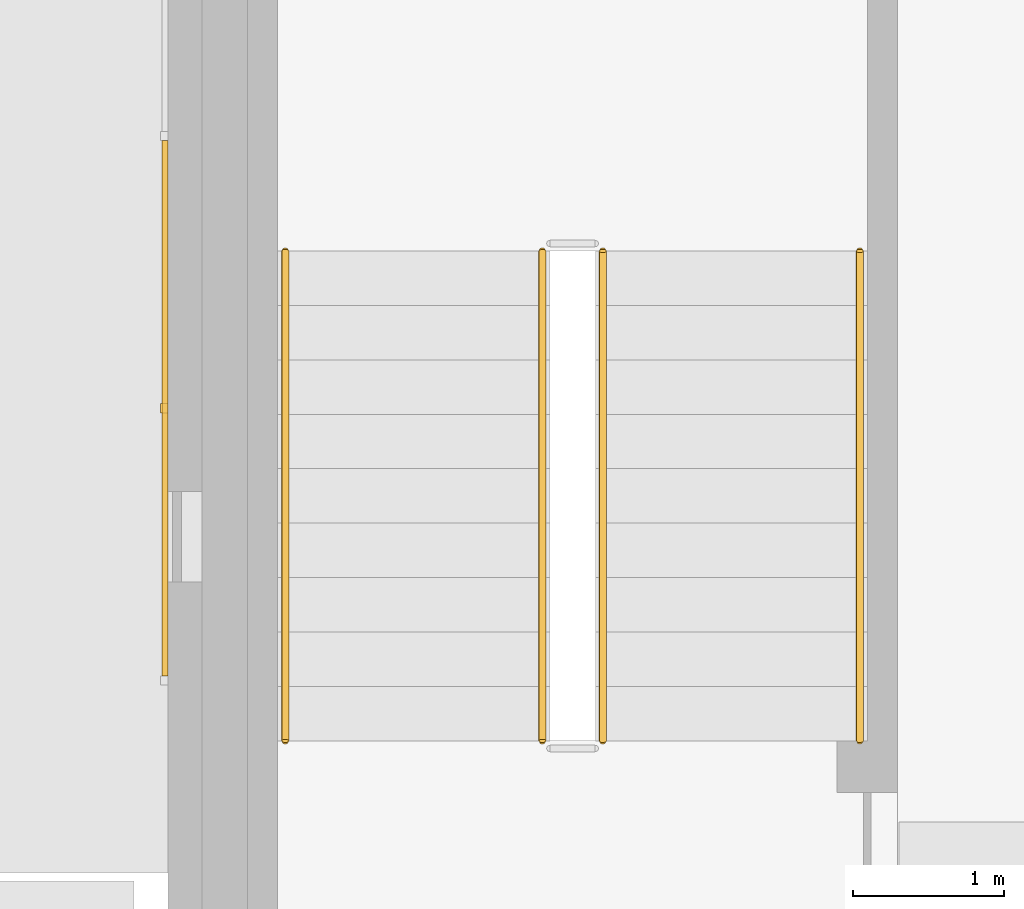
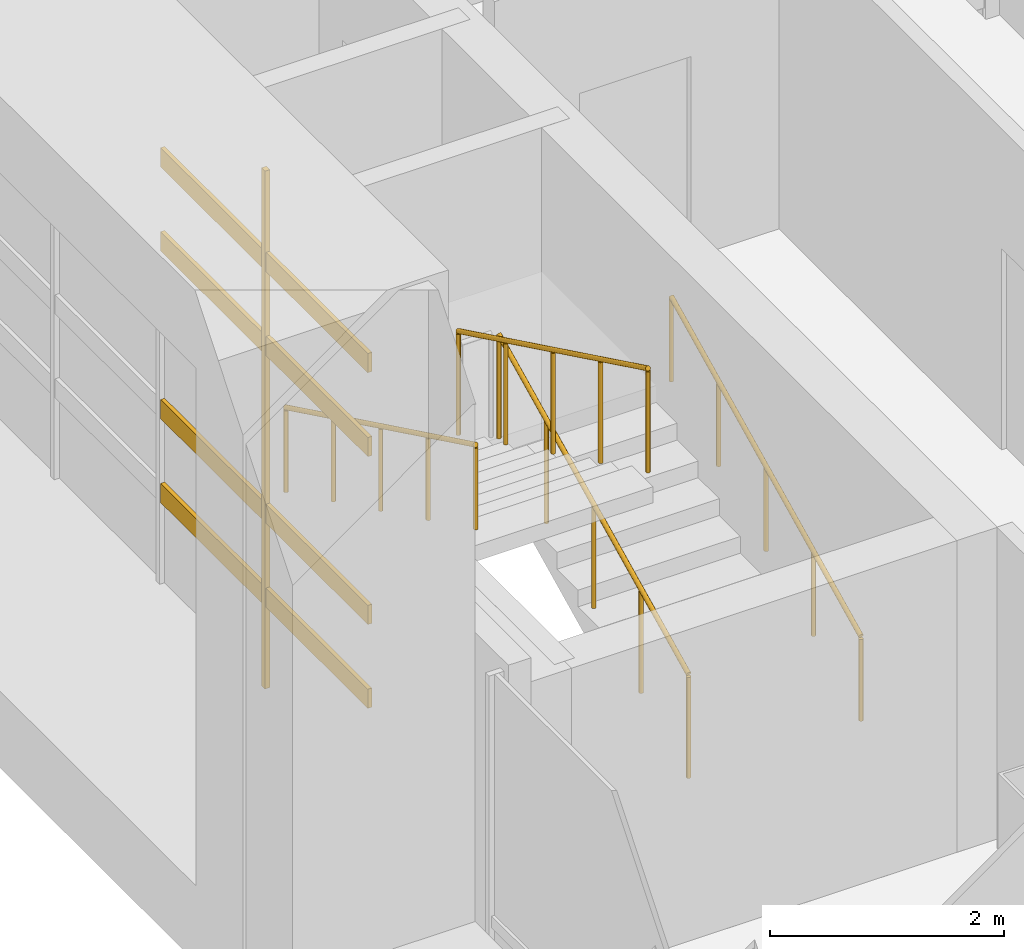
# One storey, part 14 of 21: 5 coverings, 4 railings.
"""IFC4 building model written with IfcOpenShell, lengths in metres."""

from ifc_helpers import new_model, si_unit, direction, frame, origin, origin_2d, place, context, subcontext, project, spatial, rectangle, circle, extrude, material, type_object, element, save


model = new_model("IFC4")

# Units and contexts
model_context = context("Model", 3, precision=1e-05, world=origin(), true_north=direction((0.0, 1.0)))
body_context = subcontext(model_context, "Body", "Model", "MODEL_VIEW")
ifc_project = project(units=[si_unit("LENGTHUNIT", "METRE"), si_unit("AREAUNIT", "SQUARE_METRE"), si_unit("VOLUMEUNIT", "CUBIC_METRE"), si_unit("PLANEANGLEUNIT", "RADIAN"), si_unit("MASSUNIT", "GRAM", prefix="KILO")], contexts=[model_context])

# Site, building, storey
site_placement = place(None, origin())
site = spatial("IfcSite", under=ifc_project, at=site_placement, CompositionType="ELEMENT")
building_placement = place(site_placement, origin())
building = spatial("IfcBuilding", under=site, at=building_placement, Name="Cobrizo Arcos Hotel Tower", CompositionType="ELEMENT")
storey_placement = place(building_placement, frame((0.0, 0.0, 248.0)))
storey = spatial("IfcBuildingStorey", under=building, at=storey_placement, Name="L65", CompositionType="ELEMENT", Elevation=248.0)

# Coverings
ifc_material_1 = material(Name="Aluminium 6063-T6 anodised pale", Category="aluminium")
covering_type_1 = type_object("IfcCoveringType", Name="RS-2 rainscreen rib 60x50", PredefinedType="CLADDING", material=ifc_material_1)
covering_placement = place(storey_placement, frame((-20.64990234375, -6.699951171875, 0.800048828125), z_axis=(0.0, 0.0, 1.0), x_axis=(0.0, -1.0, 0.0)))
element("IfcCovering", 1, at=covering_placement, inside=storey, type_object=covering_type_1, Name="Rainscreen rib 329", PredefinedType="CLADDING", context=body_context, shape_type="SweptSolid", body=[
    extrude(rectangle(XDim=0.06005859375, YDim=0.050048828125, at=origin_2d()), origin(), (0.0, 0.0, 1.0), 5.39990234375),
])
covering_type_2 = type_object("IfcCoveringType", Name="RS-3 rainscreen louvre slat 200x40", PredefinedType="CLADDING", material=ifc_material_1)
for number, where, z_axis, x_axis, name in (
    (2, (-20.64501953125, -6.699951171875, 1.64990234375), (0.0, 0.0, 1.0), (0.0, -1.0, 0.0), "Rainscreen slat 191"),
    (3, (-20.64501953125, -6.699951171875, 2.52490234375), (0.0, 0.0, 1.0), (0.0, -1.0, 0.0), "Rainscreen slat 192"),
    (4, (-20.64501953125, -6.699951171875, 4.27490234375), (0.0, 0.0, 1.0), (0.0, -1.0, 0.0), "Rainscreen slat 195"),
    (5, (-20.64501953125, -6.699951171875, 5.14990234375), (0.0, 0.0, 1.0), (0.0, -1.0, 0.0), "Rainscreen slat 196"),
):
    element("IfcCovering", number, at=place(storey_placement, frame(where, z_axis=z_axis, x_axis=x_axis)), inside=storey, type_object=covering_type_2, Name=name, PredefinedType="CLADDING", context=body_context, shape_type="SweptSolid", body=[
        extrude(rectangle(XDim=3.5400390625, YDim=0.0400390625, at=origin_2d()), origin(), (0.0, 0.0, 1.0), 0.199951171875),
    ])

# Railings
ifc_material_2 = material(Name="Stainless steel railing", Category="steel")
railing_type_1 = type_object("IfcRailingType", Name="Stair guard 1100", PredefinedType="GUARDRAIL", material=ifc_material_2)
railing_1_placement = place(storey_placement, frame((-17.75, -8.89990234375, 0.175048828125)))
element("IfcRailing", 6, at=railing_1_placement, inside=storey, type_object=railing_type_1, Name="L65 ST-W stair guard 1", PredefinedType="GUARDRAIL", context=body_context, shape_type="SweptSolid", body=[
    extrude(circle(Radius=0.02392578125, at=origin_2d()), frame((0.0, 0.0, 1.076171875), z_axis=(0.0, 0.899372665325, 0.437182809435), x_axis=(-1.0, 0.0, 0.0)), (0.0, 0.0, 1.0), 3.6025390625),
    extrude(circle(Radius=0.02099609375, at=origin_2d()), origin(), (0.0, 0.0, 1.0), 1.052001953125),
    extrude(circle(Radius=0.02099609375, at=origin_2d()), frame((0.0, 0.81005859375, 0.393798828125)), (0.0, 0.0, 1.0), 1.052001953125),
    extrude(circle(Radius=0.02099609375, at=origin_2d()), frame((0.0, 1.6201171875, 0.78759765625)), (0.0, 0.0, 1.0), 1.052001953125),
    extrude(circle(Radius=0.02099609375, at=origin_2d()), frame((0.0, 2.429931640625, 1.18115234375)), (0.0, 0.0, 1.0), 1.052001953125),
    extrude(circle(Radius=0.02099609375, at=origin_2d()), frame((0.0, 3.239990234375, 1.574951171875)), (0.0, 0.0, 1.0), 1.052001953125),
])
railing_2_placement = place(storey_placement, frame((-18.14990234375, -5.659912109375, 1.925048828125)))
element("IfcRailing", 7, at=railing_2_placement, inside=storey, type_object=railing_type_1, Name="L65 ST-W stair guard 3", PredefinedType="GUARDRAIL", context=body_context, shape_type="SweptSolid", body=[
    extrude(circle(Radius=0.02392578125, at=origin_2d()), frame((0.0, 0.0, 1.076171875), z_axis=(0.0, -0.899372665325, 0.437182809435), x_axis=(1.0, 0.0, 0.0)), (0.0, 0.0, 1.0), 3.6025390625),
    extrude(circle(Radius=0.02099609375, at=origin_2d()), origin(), (0.0, 0.0, 1.0), 1.052001953125),
    extrude(circle(Radius=0.02099609375, at=origin_2d()), frame((0.0, -0.81005859375, 0.393798828125)), (0.0, 0.0, 1.0), 1.052001953125),
    extrude(circle(Radius=0.02099609375, at=origin_2d()), frame((0.0, -1.6201171875, 0.78759765625)), (0.0, 0.0, 1.0), 1.052001953125),
    extrude(circle(Radius=0.02099609375, at=origin_2d()), frame((0.0, -2.429931640625, 1.18115234375)), (0.0, 0.0, 1.0), 1.052001953125),
    extrude(circle(Radius=0.02099609375, at=origin_2d()), frame((0.0, -3.239990234375, 1.574951171875)), (0.0, 0.0, 1.0), 1.052001953125),
])
railing_type_2 = type_object("IfcRailingType", Name="Stair handrail", PredefinedType="HANDRAIL", material=ifc_material_2)
railing_3_placement = place(storey_placement, frame((-16.050048828125, -8.89990234375, 0.175048828125)))
element("IfcRailing", 8, at=railing_3_placement, inside=storey, type_object=railing_type_2, Name="L65 ST-W stair handrail 1", PredefinedType="HANDRAIL", context=body_context, shape_type="SweptSolid", body=[
    extrude(circle(Radius=0.02392578125, at=origin_2d()), frame((0.0, 0.0, 0.8759765625), z_axis=(0.0, 0.899372665325, 0.437182809435), x_axis=(-1.0, 0.0, 0.0)), (0.0, 0.0, 1.0), 3.6025390625),
    extrude(circle(Radius=0.02099609375, at=origin_2d()), origin(), (0.0, 0.0, 1.0), 0.851806640625),
    extrude(circle(Radius=0.02099609375, at=origin_2d()), frame((0.0, 0.81005859375, 0.393798828125)), (0.0, 0.0, 1.0), 0.851806640625),
    extrude(circle(Radius=0.02099609375, at=origin_2d()), frame((0.0, 1.6201171875, 0.78759765625)), (0.0, 0.0, 1.0), 0.851806640625),
    extrude(circle(Radius=0.02099609375, at=origin_2d()), frame((0.0, 2.429931640625, 1.18115234375)), (0.0, 0.0, 1.0), 0.851806640625),
    extrude(circle(Radius=0.02099609375, at=origin_2d()), frame((0.0, 3.239990234375, 1.574951171875)), (0.0, 0.0, 1.0), 0.851806640625),
])
railing_4_placement = place(storey_placement, frame((-19.85009765625, -5.659912109375, 1.925048828125)))
element("IfcRailing", 9, at=railing_4_placement, inside=storey, type_object=railing_type_2, Name="L65 ST-W stair handrail 2", PredefinedType="HANDRAIL", context=body_context, shape_type="SweptSolid", body=[
    extrude(circle(Radius=0.02392578125, at=origin_2d()), frame((0.0, 0.0, 0.8759765625), z_axis=(0.0, -0.899372665325, 0.437182809435), x_axis=(1.0, 0.0, 0.0)), (0.0, 0.0, 1.0), 3.6025390625),
    extrude(circle(Radius=0.02099609375, at=origin_2d()), origin(), (0.0, 0.0, 1.0), 0.851806640625),
    extrude(circle(Radius=0.02099609375, at=origin_2d()), frame((0.0, -0.81005859375, 0.393798828125)), (0.0, 0.0, 1.0), 0.851806640625),
    extrude(circle(Radius=0.02099609375, at=origin_2d()), frame((0.0, -1.6201171875, 0.78759765625)), (0.0, 0.0, 1.0), 0.851806640625),
    extrude(circle(Radius=0.02099609375, at=origin_2d()), frame((0.0, -2.429931640625, 1.18115234375)), (0.0, 0.0, 1.0), 0.851806640625),
    extrude(circle(Radius=0.02099609375, at=origin_2d()), frame((0.0, -3.239990234375, 1.574951171875)), (0.0, 0.0, 1.0), 0.851806640625),
])

save(model, "model.ifc")
